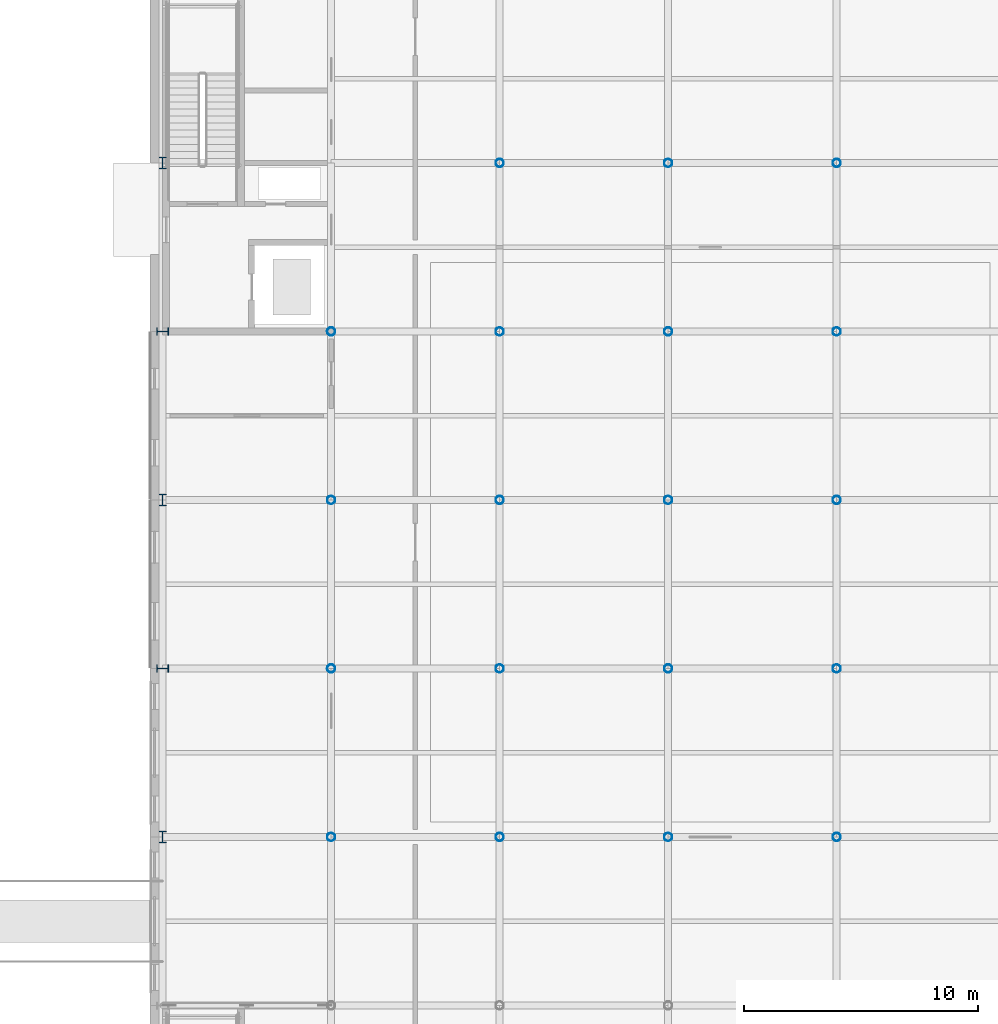
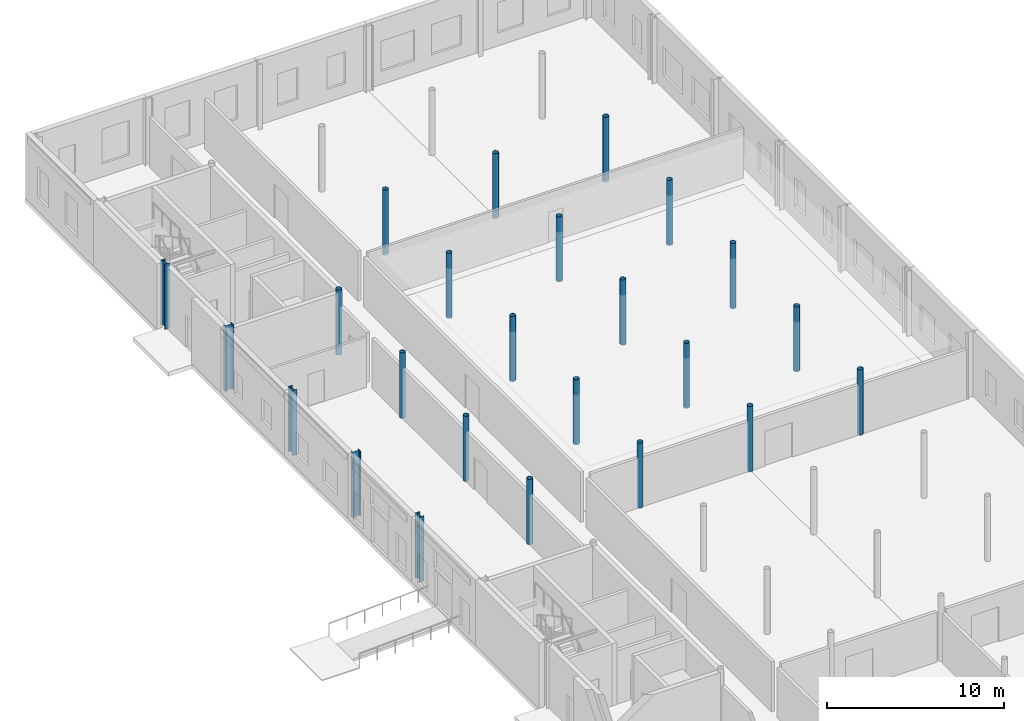
# One storey, part 18 of 92: 24 columns.
"""IFC4 building model written with IfcOpenShell, lengths in metres."""

from ifc_helpers import new_model, si_unit, direction, frame, origin, origin_2d, place, context, subcontext, project, spatial, hollow_circle, i_section, extrude, material, material_profile, profile_set, type_object, element, save


model = new_model("IFC4")

# Units and contexts
model_context = context("Model", 3, precision=1e-05, world=origin(), true_north=direction((0.0, 1.0)))
body_context = subcontext(model_context, "Body", "Model", "MODEL_VIEW")
ifc_project = project(units=[si_unit("LENGTHUNIT", "METRE"), si_unit("AREAUNIT", "SQUARE_METRE"), si_unit("VOLUMEUNIT", "CUBIC_METRE"), si_unit("PLANEANGLEUNIT", "RADIAN"), si_unit("MASSUNIT", "GRAM", prefix="KILO")], contexts=[model_context])

# Site, building, storey
site_placement = place(None, origin())
site = spatial("IfcSite", under=ifc_project, at=site_placement, CompositionType="ELEMENT")
building_placement = place(site_placement, origin())
building = spatial("IfcBuilding", under=site, at=building_placement, Name="Zlatovets Crest Museum", CompositionType="ELEMENT")
storey_placement = place(building_placement, origin())
storey = spatial("IfcBuildingStorey", under=building, at=storey_placement, Name="L00", CompositionType="ELEMENT", Elevation=0.0)

# Columns
ifc_material = material(Name="Structural steel S355J2", Category="steel")
ifc_material_profile_1 = material_profile(ifc_material, i_section(OverallWidth=0.300048828125, OverallDepth=0.5, WebThickness=0.014404296875, FlangeThickness=0.028076171875, FilletRadius=0.027099609375, at=origin_2d()), Name="HEB 500")
ifc_profile_set_1 = profile_set([ifc_material_profile_1], Name="Structural steel S355J2")
column_type_1 = type_object("IfcColumnType", Name="Col_C-05", PredefinedType="COLUMN", material=ifc_profile_set_1)
for number, where, z_axis, x_axis, name in (
    (1, (129.60009765625, 57.60009765625, 0.0), (0.0, 0.0, 1.0), (1.0, 0.0, 0.0), "V5 L00 Column (129.6, 57.6)"),
    (2, (129.60009765625, 64.800048828125, 0.0), (0.0, 0.0, 1.0), (0.0, 1.0, 0.0), "V5 L00 Column (129.6, 64.8)"),
    (3, (129.60009765625, 72.0, 0.0), (0.0, 0.0, 1.0), (1.0, 0.0, 0.0), "V5 L00 Column (129.6, 72.0)"),
    (4, (129.60009765625, 79.199951171875, 0.0), (0.0, 0.0, 1.0), (0.0, 1.0, 0.0), "V5 L00 Column (129.6, 79.2)"),
    (5, (129.60009765625, 86.39990234375, 0.0), (0.0, 0.0, 1.0), (1.0, 0.0, 0.0), "V5 L00 Column (129.6, 86.4)"),
):
    element("IfcColumn", number, at=place(storey_placement, frame(where, z_axis=z_axis, x_axis=x_axis)), inside=storey, type_object=column_type_1, Name=name, PredefinedType="COLUMN", context=body_context, shape_type="SweptSolid", body=[
        extrude(i_section(OverallWidth=0.300048828125, OverallDepth=0.5, WebThickness=0.014404296875, FlangeThickness=0.028076171875, FilletRadius=0.027099609375, at=origin_2d()), origin(), (0.0, 0.0, 1.0), 4.5),
    ])
ifc_material_profile_2 = material_profile(ifc_material, hollow_circle(Radius=0.177734375, WallThickness=0.01416015625, at=origin_2d()), Name="CHS 355.6x14.2")
ifc_profile_set_2 = profile_set([ifc_material_profile_2], Name="Structural steel S355J2")
column_type_2 = type_object("IfcColumnType", Name="Col_C-20", PredefinedType="COLUMN", material=ifc_profile_set_2)
for number, where, z_axis, x_axis, name in (
    (6, (136.800048828125, 57.60009765625, 0.0), (0.0, 0.0, 1.0), (0.0, 1.0, 0.0), "V5 L00 Column (136.8, 57.6)"),
    (7, (136.800048828125, 64.800048828125, 0.0), (0.0, 0.0, 1.0), (1.0, 0.0, 0.0), "V5 L00 Column (136.8, 64.8)"),
    (8, (136.800048828125, 72.0, 0.0), (0.0, 0.0, 1.0), (0.0, 1.0, 0.0), "V5 L00 Column (136.8, 72.0)"),
    (9, (136.800048828125, 79.199951171875, 0.0), (0.0, 0.0, 1.0), (1.0, 0.0, 0.0), "V5 L00 Column (136.8, 79.2)"),
    (10, (144.0, 57.60009765625, 0.0), (0.0, 0.0, 1.0), (1.0, 0.0, 0.0), "V5 L00 Column (144.0, 57.6)"),
    (11, (144.0, 64.800048828125, 0.0), (0.0, 0.0, 1.0), (0.0, 1.0, 0.0), "V5 L00 Column (144.0, 64.8)"),
    (12, (144.0, 72.0, 0.0), (0.0, 0.0, 1.0), (1.0, 0.0, 0.0), "V5 L00 Column (144.0, 72.0)"),
    (13, (144.0, 79.199951171875, 0.0), (0.0, 0.0, 1.0), (0.0, 1.0, 0.0), "V5 L00 Column (144.0, 79.2)"),
    (14, (144.0, 86.39990234375, 0.0), (0.0, 0.0, 1.0), (1.0, 0.0, 0.0), "V5 L00 Column (144.0, 86.4)"),
    (15, (151.199951171875, 57.60009765625, 0.0), (0.0, 0.0, 1.0), (0.0, 1.0, 0.0), "V5 L00 Column (151.2, 57.6)"),
    (16, (151.199951171875, 64.800048828125, 0.0), (0.0, 0.0, 1.0), (1.0, 0.0, 0.0), "V5 L00 Column (151.2, 64.8)"),
    (17, (151.199951171875, 72.0, 0.0), (0.0, 0.0, 1.0), (0.0, 1.0, 0.0), "V5 L00 Column (151.2, 72.0)"),
    (18, (151.199951171875, 79.199951171875, 0.0), (0.0, 0.0, 1.0), (1.0, 0.0, 0.0), "V5 L00 Column (151.2, 79.2)"),
    (19, (151.199951171875, 86.39990234375, 0.0), (0.0, 0.0, 1.0), (0.0, 1.0, 0.0), "V5 L00 Column (151.2, 86.4)"),
    (20, (158.39990234375, 57.60009765625, 0.0), (0.0, 0.0, 1.0), (1.0, 0.0, 0.0), "V5 L00 Column (158.4, 57.6)"),
    (21, (158.39990234375, 64.800048828125, 0.0), (0.0, 0.0, 1.0), (0.0, 1.0, 0.0), "V5 L00 Column (158.4, 64.8)"),
    (22, (158.39990234375, 72.0, 0.0), (0.0, 0.0, 1.0), (1.0, 0.0, 0.0), "V5 L00 Column (158.4, 72.0)"),
    (23, (158.39990234375, 79.199951171875, 0.0), (0.0, 0.0, 1.0), (0.0, 1.0, 0.0), "V5 L00 Column (158.4, 79.2)"),
    (24, (158.39990234375, 86.39990234375, 0.0), (0.0, 0.0, 1.0), (1.0, 0.0, 0.0), "V5 L00 Column (158.4, 86.4)"),
):
    element("IfcColumn", number, at=place(storey_placement, frame(where, z_axis=z_axis, x_axis=x_axis)), inside=storey, type_object=column_type_2, Name=name, PredefinedType="COLUMN", context=body_context, shape_type="SweptSolid", body=[
        extrude(hollow_circle(Radius=0.177734375, WallThickness=0.01416015625, at=origin_2d()), origin(), (0.0, 0.0, 1.0), 4.5),
    ])

save(model, "model.ifc")
